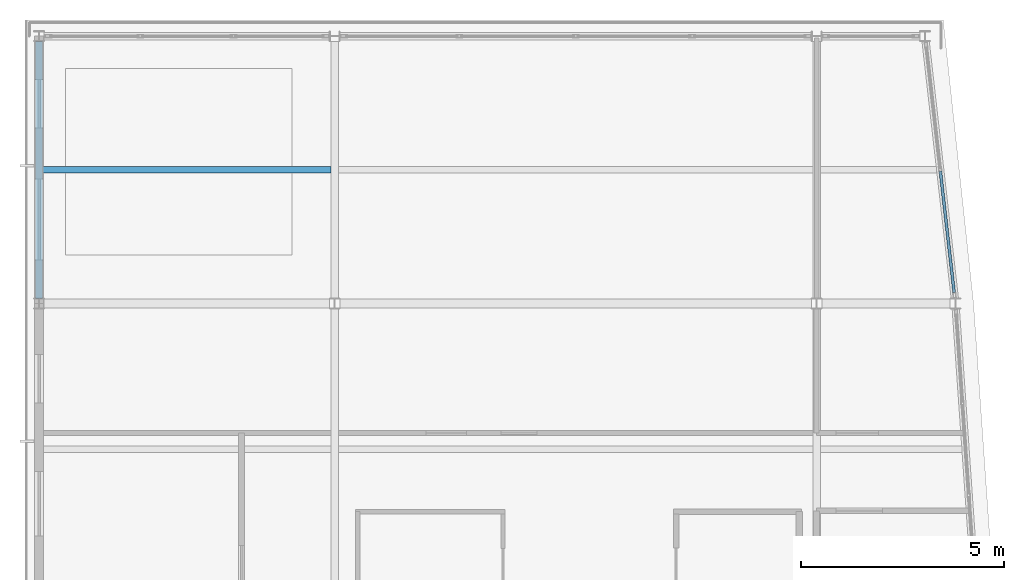
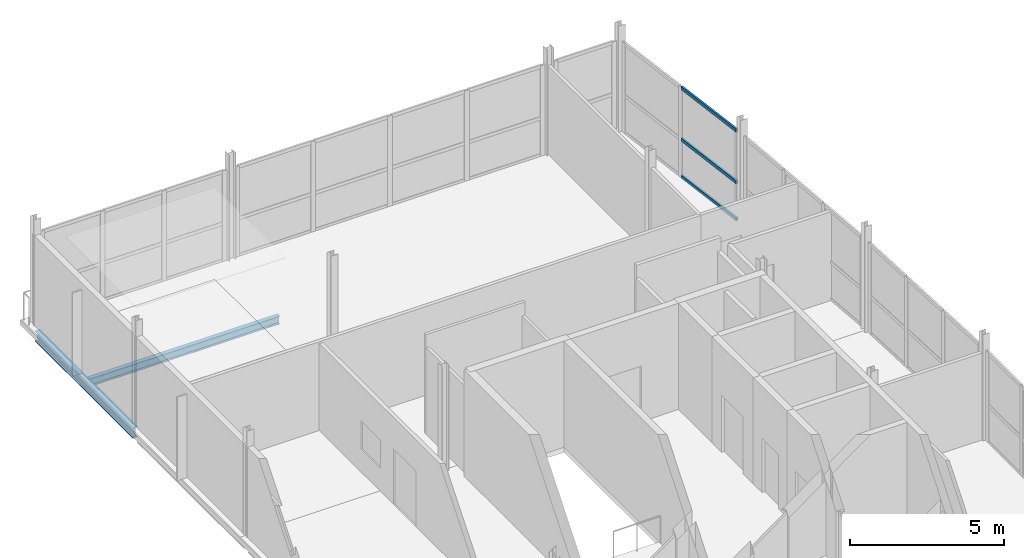
# One storey, part 6 of 14: 3 members, 2 beams, 1 element without a shape of its own.
"""IFC4 building model written with IfcOpenShell, lengths in metres."""

from ifc_helpers import new_model, si_unit, direction, frame, origin, origin_2d, place, context, subcontext, project, spatial, hollow_rectangle, i_section, extrude, material, layer, layer_set, material_profile, profile_set, type_object, element, aggregate, save


model = new_model("IFC4")

# Units and contexts
model_context = context("Model", 3, precision=1e-05, world=origin(), true_north=direction((0.0, 1.0)))
body_context = subcontext(model_context, "Body", "Model", "MODEL_VIEW")
ifc_project = project(units=[si_unit("LENGTHUNIT", "METRE"), si_unit("AREAUNIT", "SQUARE_METRE"), si_unit("VOLUMEUNIT", "CUBIC_METRE"), si_unit("PLANEANGLEUNIT", "RADIAN"), si_unit("MASSUNIT", "GRAM", prefix="KILO")], contexts=[model_context])

# Site, building, storey
site_placement = place(None, origin())
site = spatial("IfcSite", under=ifc_project, at=site_placement, CompositionType="ELEMENT")
building_placement = place(site_placement, origin())
building = spatial("IfcBuilding", under=site, at=building_placement, Name="Quillay Park Conservatory", CompositionType="ELEMENT")
storey_placement = place(building_placement, frame((0.0, 0.0, 64.5)))
storey = spatial("IfcBuildingStorey", under=building, at=storey_placement, Name="L15", CompositionType="ELEMENT", Elevation=64.5)

# Beam
ifc_material_1 = material(Name="Steel ASTM A992 Grade 50", Category="steel")
ifc_material_profile_1 = material_profile(ifc_material_1, i_section(OverallWidth=0.166015625, OverallDepth=0.31298828125, WebThickness=0.006591796875, FlangeThickness=0.01123046875, FilletRadius=0.010009765625, at=origin_2d()), Name="W310x45")
ifc_profile_set_1 = profile_set([ifc_material_profile_1], Name="Steel ASTM A992 Grade 50")
beam_type_1 = type_object("IfcBeamType", Name="COMPOSITE FLOOR JOIST W310 X45", PredefinedType="JOIST", material=ifc_profile_set_1)
beam_1_placement = place(storey_placement, frame((0.639892578125, 110.10009765625, -0.3564453125), z_axis=(1.0, 0.0, 0.0), x_axis=(0.0, 1.0, 0.0)))
element("IfcBeam", 1, at=beam_1_placement, inside=storey, type_object=beam_type_1, Name="L15 beam BM-J-1045", PredefinedType="JOIST", context=body_context, shape_type="SweptSolid", body=[
    extrude(i_section(OverallWidth=0.166015625, OverallDepth=0.31298828125, WebThickness=0.006591796875, FlangeThickness=0.01123046875, FilletRadius=0.010009765625, at=origin_2d()), origin(), (0.0, 0.0, 1.0), 7.114013671875),
])

# Curtain wall, members
ifc_material_2 = material(Name="Thermally Broken Anodised Aluminium 6063-T6", Category="aluminium")
ifc_layer = layer(ifc_material_2, 0.179931640625)
ifc_layer_set = layer_set([ifc_layer], Name="UNITISED CURTAIN WALL TOWER (Thermally Broken Anodised Aluminium 6063-T6)")
curtain_wall_type = type_object("IfcCurtainWallType", Name="UNITISED CURTAIN WALL TOWER", PredefinedType="USERDEFINED", material=ifc_layer_set)
curtain_wall_placement = place(storey_placement, origin())
curtain_wall = element("IfcCurtainWall", 2, at=curtain_wall_placement, inside=storey, type_object=curtain_wall_type, Name="L15 Unitised Curtain Wall 143", ObjectType="UNITISED CURTAIN WALL", PredefinedType="USERDEFINED")
ifc_material_3 = material(Name="Thermally Broken Anodised Aluminium 6063-T6", Category="aluminium")
ifc_material_profile_2 = material_profile(ifc_material_3, hollow_rectangle(XDim=0.070068359375, YDim=0.1298828125, WallThickness=0.003173828125, at=origin_2d()), Name="AL70x130x3.2")
ifc_profile_set_2 = profile_set([ifc_material_profile_2], Name="Thermally Broken Anodised Aluminium 6063-T6")
member_type = type_object("IfcMemberType", Name="CURTAIN WALL TRANSOM 70 X130", PredefinedType="USERDEFINED", material=ifc_profile_set_2)
member_1_placement = place(storey_placement, frame((22.803955078125, 110.065185546875, 0.034912109375), z_axis=(0.112918769109, -0.993604222808, 0.0), x_axis=(0.993604222808, 0.112918769109, 0.0)))
member_1 = element("IfcMember", 3, at=member_1_placement, type_object=member_type, Name="CW-T1 transom 2.1", ObjectType="TRANSOM", PredefinedType="USERDEFINED", context=body_context, shape_type="SweptSolid", body=[
    extrude(hollow_rectangle(XDim=0.070068359375, YDim=0.1298828125, WallThickness=0.003173828125, at=origin_2d()), origin(), (0.0, 0.0, 1.0), 3.01611328125),
])
member_2_placement = place(storey_placement, frame((22.803955078125, 110.065185546875, 1.501220703125), z_axis=(0.112918769109, -0.993604222808, 0.0), x_axis=(0.993604222808, 0.112918769109, 0.0)))
member_2 = element("IfcMember", 4, at=member_2_placement, type_object=member_type, Name="CW-T1 transom 2.2", ObjectType="TRANSOM", PredefinedType="USERDEFINED", context=body_context, shape_type="SweptSolid", body=[
    extrude(hollow_rectangle(XDim=0.070068359375, YDim=0.1298828125, WallThickness=0.003173828125, at=origin_2d()), origin(), (0.0, 0.0, 1.0), 3.01611328125),
])
member_3_placement = place(storey_placement, frame((22.803955078125, 110.065185546875, 3.5390625), z_axis=(0.112918769109, -0.993604222808, 0.0), x_axis=(0.993604222808, 0.112918769109, 0.0)))
member_3 = element("IfcMember", 5, at=member_3_placement, type_object=member_type, Name="CW-T1 transom 2.3", ObjectType="TRANSOM", PredefinedType="USERDEFINED", context=body_context, shape_type="SweptSolid", body=[
    extrude(hollow_rectangle(XDim=0.070068359375, YDim=0.1298828125, WallThickness=0.003173828125, at=origin_2d()), origin(), (0.0, 0.0, 1.0), 3.01611328125),
])
aggregate(curtain_wall, [member_1, member_2, member_3])

# Beam
ifc_material_4 = material(Name="Steel ASTM A992 Grade 50", Category="steel")
ifc_material_profile_3 = material_profile(ifc_material_4, i_section(OverallWidth=0.179931640625, OverallDepth=0.4130859375, WebThickness=0.009765625, FlangeThickness=0.01611328125, FilletRadius=0.011962890625, at=origin_2d()), Name="W410x74")
ifc_profile_set_3 = profile_set([ifc_material_profile_3], Name="Steel ASTM A992 Grade 50")
beam_type_2 = type_object("IfcBeamType", Name="PERIMETER SPANDREL BEAM W410 X74", PredefinedType="SPANDREL", material=ifc_profile_set_3)
beam_2_placement = place(storey_placement, frame((0.550048828125, 106.929931640625, -0.406494140625), z_axis=(0.0, 1.0, 0.0), x_axis=(-1.0, 0.0, 0.0)))
element("IfcBeam", 6, at=beam_2_placement, inside=storey, type_object=beam_type_2, Name="L15 beam BM-SPW-1041", PredefinedType="SPANDREL", context=body_context, shape_type="SweptSolid", body=[
    extrude(i_section(OverallWidth=0.179931640625, OverallDepth=0.4130859375, WebThickness=0.009765625, FlangeThickness=0.01611328125, FilletRadius=0.011962890625, at=origin_2d()), origin(), (0.0, 0.0, 1.0), 6.340087890625),
])

save(model, "model.ifc")
